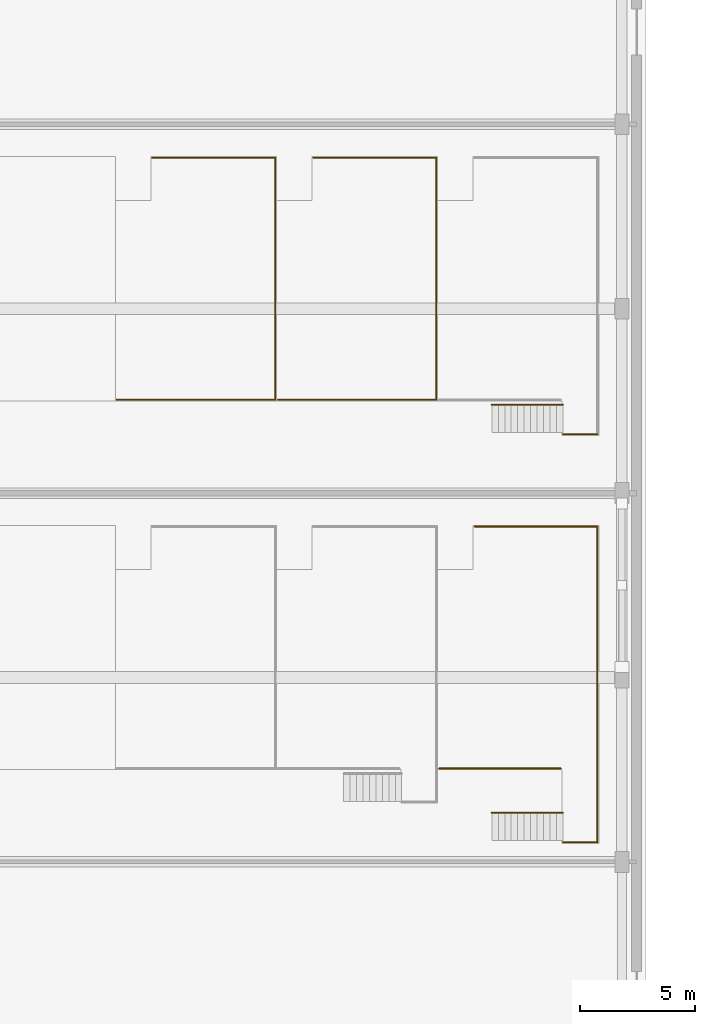
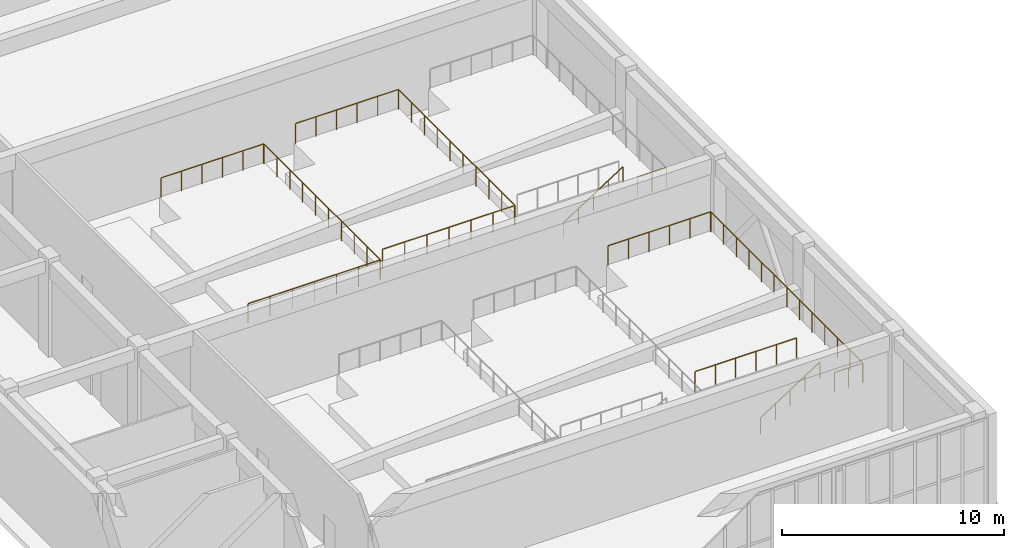
# One storey, part 39 of 46: 13 railings.
"""IFC4 building model written with IfcOpenShell, lengths in metres."""

from ifc_helpers import new_model, si_unit, direction, frame, origin, origin_2d, place, context, subcontext, project, spatial, circle, extrude, material, type_object, element, save


model = new_model("IFC4")

# Units and contexts
model_context = context("Model", 3, precision=1e-05, world=origin(), true_north=direction((0.0, 1.0)))
body_context = subcontext(model_context, "Body", "Model", "MODEL_VIEW")
ifc_project = project(units=[si_unit("LENGTHUNIT", "METRE"), si_unit("AREAUNIT", "SQUARE_METRE"), si_unit("VOLUMEUNIT", "CUBIC_METRE"), si_unit("PLANEANGLEUNIT", "RADIAN"), si_unit("MASSUNIT", "GRAM", prefix="KILO")], contexts=[model_context])

# Site, building, storey
site_placement = place(None, origin())
site = spatial("IfcSite", under=ifc_project, at=site_placement, CompositionType="ELEMENT")
building_placement = place(site_placement, origin())
building = spatial("IfcBuilding", under=site, at=building_placement, Name="Cinchona Park Media Centre", CompositionType="ELEMENT")
storey_placement = place(building_placement, origin())
storey = spatial("IfcBuildingStorey", under=building, at=storey_placement, Name="L00", CompositionType="ELEMENT", Elevation=0.0)

# Railings
ifc_material_1 = material(Name="Painted Steel Stairwell Guardrail", Category="steel")
railing_type_1 = type_object("IfcRailingType", Name="RAILING-GR02", PredefinedType="GUARDRAIL", material=ifc_material_1)
railing_1_placement = place(storey_placement, frame((44.300048828125, 16.47998046875, 2.159912109375)))
element("IfcRailing", 1, at=railing_1_placement, inside=storey, type_object=railing_type_1, Name="Auditorium Tier Guardrail GR02 130", PredefinedType="GUARDRAIL", context=body_context, shape_type="SweptSolid", body=[
    extrude(circle(Radius=0.02392578125, at=origin_2d()), frame((0.0, 0.0, 1.076171875), z_axis=(0.0, 1.0, 0.0), x_axis=(-1.0, 0.0, 0.0)), (0.0, 0.0, 1.0), 13.64013671875),
    extrude(circle(Radius=0.02099609375, at=origin_2d()), origin(), (0.0, 0.0, 1.0), 1.052001953125),
    extrude(circle(Radius=0.02099609375, at=origin_2d()), frame((0.0, 1.13671875, 0.0)), (0.0, 0.0, 1.0), 1.052001953125),
    extrude(circle(Radius=0.02099609375, at=origin_2d()), frame((0.0, 2.2734375, 0.0)), (0.0, 0.0, 1.0), 1.052001953125),
    extrude(circle(Radius=0.02099609375, at=origin_2d()), frame((0.0, 3.41015625, 0.0)), (0.0, 0.0, 1.0), 1.052001953125),
    extrude(circle(Radius=0.02099609375, at=origin_2d()), frame((0.0, 4.546630859375, 0.0)), (0.0, 0.0, 1.0), 1.052001953125),
    extrude(circle(Radius=0.02099609375, at=origin_2d()), frame((0.0, 5.683349609375, 0.0)), (0.0, 0.0, 1.0), 1.052001953125),
    extrude(circle(Radius=0.02099609375, at=origin_2d()), frame((0.0, 6.820068359375, 0.0)), (0.0, 0.0, 1.0), 1.052001953125),
    extrude(circle(Radius=0.02099609375, at=origin_2d()), frame((0.0, 7.956787109375, 0.0)), (0.0, 0.0, 1.0), 1.052001953125),
    extrude(circle(Radius=0.02099609375, at=origin_2d()), frame((0.0, 9.093505859375, 0.0)), (0.0, 0.0, 1.0), 1.052001953125),
    extrude(circle(Radius=0.02099609375, at=origin_2d()), frame((0.0, 10.22998046875, 0.0)), (0.0, 0.0, 1.0), 1.052001953125),
    extrude(circle(Radius=0.02099609375, at=origin_2d()), frame((0.0, 11.36669921875, 0.0)), (0.0, 0.0, 1.0), 1.052001953125),
    extrude(circle(Radius=0.02099609375, at=origin_2d()), frame((0.0, 12.50341796875, 0.0)), (0.0, 0.0, 1.0), 1.052001953125),
    extrude(circle(Radius=0.02099609375, at=origin_2d()), frame((0.0, 13.64013671875, 0.0)), (0.0, 0.0, 1.0), 1.052001953125),
])
railing_2_placement = place(storey_placement, frame((37.429931640625, 19.64990234375, 2.159912109375)))
element("IfcRailing", 2, at=railing_2_placement, inside=storey, type_object=railing_type_1, Name="Auditorium Tier Side Guardrail GR02 131", PredefinedType="GUARDRAIL", context=body_context, shape_type="SweptSolid", body=[
    extrude(circle(Radius=0.02392578125, at=origin_2d()), frame((0.0, 0.0, 1.076171875), z_axis=(1.0, 0.0, 0.0), x_axis=(0.0, 1.0, 0.0)), (0.0, 0.0, 1.0), 5.27001953125),
    extrude(circle(Radius=0.02099609375, at=origin_2d()), origin(), (0.0, 0.0, 1.0), 1.052001953125),
    extrude(circle(Radius=0.02099609375, at=origin_2d()), frame((1.053955078125, 0.0, 0.0)), (0.0, 0.0, 1.0), 1.052001953125),
    extrude(circle(Radius=0.02099609375, at=origin_2d()), frame((2.10791015625, 0.0, 0.0)), (0.0, 0.0, 1.0), 1.052001953125),
    extrude(circle(Radius=0.02099609375, at=origin_2d()), frame((3.162109375, 0.0, 0.0)), (0.0, 0.0, 1.0), 1.052001953125),
    extrude(circle(Radius=0.02099609375, at=origin_2d()), frame((4.216064453125, 0.0, 0.0)), (0.0, 0.0, 1.0), 1.052001953125),
    extrude(circle(Radius=0.02099609375, at=origin_2d()), frame((5.27001953125, 0.0, 0.0)), (0.0, 0.0, 1.0), 1.052001953125),
])
railing_3_placement = place(storey_placement, frame((42.820068359375, 16.449951171875, 2.159912109375)))
element("IfcRailing", 3, at=railing_3_placement, inside=storey, type_object=railing_type_1, Name="Auditorium Tier Side Guardrail GR02 132", PredefinedType="GUARDRAIL", context=body_context, shape_type="SweptSolid", body=[
    extrude(circle(Radius=0.02392578125, at=origin_2d()), frame((0.0, 0.0, 1.076171875), z_axis=(1.0, 0.0, 0.0), x_axis=(0.0, 1.0, 0.0)), (0.0, 0.0, 1.0), 1.47998046875),
    extrude(circle(Radius=0.02099609375, at=origin_2d()), origin(), (0.0, 0.0, 1.0), 1.052001953125),
    extrude(circle(Radius=0.02099609375, at=origin_2d()), frame((0.739990234375, 0.0, 0.0)), (0.0, 0.0, 1.0), 1.052001953125),
    extrude(circle(Radius=0.02099609375, at=origin_2d()), frame((1.47998046875, 0.0, 0.0)), (0.0, 0.0, 1.0), 1.052001953125),
])
railing_4_placement = place(storey_placement, frame((44.300048828125, 30.14990234375, 2.159912109375)))
element("IfcRailing", 4, at=railing_4_placement, inside=storey, type_object=railing_type_1, Name="Auditorium Tier Side Guardrail GR02 133", PredefinedType="GUARDRAIL", context=body_context, shape_type="SweptSolid", body=[
    extrude(circle(Radius=0.02392578125, at=origin_2d()), frame((0.0, 0.0, 1.076171875), z_axis=(-1.0, 0.0, 0.0), x_axis=(0.0, -1.0, 0.0)), (0.0, 0.0, 1.0), 5.33203125),
    extrude(circle(Radius=0.02099609375, at=origin_2d()), origin(), (0.0, 0.0, 1.0), 1.052001953125),
    extrude(circle(Radius=0.02099609375, at=origin_2d()), frame((-1.06640625, 0.0, 0.0)), (0.0, 0.0, 1.0), 1.052001953125),
    extrude(circle(Radius=0.02099609375, at=origin_2d()), frame((-2.1328125, 0.0, 0.0)), (0.0, 0.0, 1.0), 1.052001953125),
    extrude(circle(Radius=0.02099609375, at=origin_2d()), frame((-3.19921875, 0.0, 0.0)), (0.0, 0.0, 1.0), 1.052001953125),
    extrude(circle(Radius=0.02099609375, at=origin_2d()), frame((-4.265625, 0.0, 0.0)), (0.0, 0.0, 1.0), 1.052001953125),
    extrude(circle(Radius=0.02099609375, at=origin_2d()), frame((-5.33203125, 0.0, 0.0)), (0.0, 0.0, 1.0), 1.052001953125),
])
railing_5_placement = place(storey_placement, frame((30.320068359375, 35.679931640625, 1.080078125)))
element("IfcRailing", 5, at=railing_5_placement, inside=storey, type_object=railing_type_1, Name="Auditorium Tier Guardrail GR02 134", PredefinedType="GUARDRAIL", context=body_context, shape_type="SweptSolid", body=[
    extrude(circle(Radius=0.02392578125, at=origin_2d()), frame((0.0, 0.0, 1.076171875), z_axis=(0.0, 1.0, 0.0), x_axis=(-1.0, 0.0, 0.0)), (0.0, 0.0, 1.0), 10.440185546875),
    extrude(circle(Radius=0.02099609375, at=origin_2d()), origin(), (0.0, 0.0, 1.0), 1.052001953125),
    extrude(circle(Radius=0.02099609375, at=origin_2d()), frame((0.0, 1.159912109375, 0.0)), (0.0, 0.0, 1.0), 1.052001953125),
    extrude(circle(Radius=0.02099609375, at=origin_2d()), frame((0.0, 2.320068359375, 0.0)), (0.0, 0.0, 1.0), 1.052001953125),
    extrude(circle(Radius=0.02099609375, at=origin_2d()), frame((0.0, 3.47998046875, 0.0)), (0.0, 0.0, 1.0), 1.052001953125),
    extrude(circle(Radius=0.02099609375, at=origin_2d()), frame((0.0, 4.64013671875, 0.0)), (0.0, 0.0, 1.0), 1.052001953125),
    extrude(circle(Radius=0.02099609375, at=origin_2d()), frame((0.0, 5.800048828125, 0.0)), (0.0, 0.0, 1.0), 1.052001953125),
    extrude(circle(Radius=0.02099609375, at=origin_2d()), frame((0.0, 6.960205078125, 0.0)), (0.0, 0.0, 1.0), 1.052001953125),
    extrude(circle(Radius=0.02099609375, at=origin_2d()), frame((0.0, 8.1201171875, 0.0)), (0.0, 0.0, 1.0), 1.052001953125),
    extrude(circle(Radius=0.02099609375, at=origin_2d()), frame((0.0, 9.2802734375, 0.0)), (0.0, 0.0, 1.0), 1.052001953125),
    extrude(circle(Radius=0.02099609375, at=origin_2d()), frame((0.0, 10.440185546875, 0.0)), (0.0, 0.0, 1.0), 1.052001953125),
])
railing_6_placement = place(storey_placement, frame((23.449951171875, 35.64990234375, 1.080078125)))
element("IfcRailing", 6, at=railing_6_placement, inside=storey, type_object=railing_type_1, Name="Auditorium Tier Side Guardrail GR02 135", PredefinedType="GUARDRAIL", context=body_context, shape_type="SweptSolid", body=[
    extrude(circle(Radius=0.02392578125, at=origin_2d()), frame((0.0, 0.0, 1.076171875), z_axis=(1.0, 0.0, 0.0), x_axis=(0.0, 1.0, 0.0)), (0.0, 0.0, 1.0), 6.8701171875),
    extrude(circle(Radius=0.02099609375, at=origin_2d()), origin(), (0.0, 0.0, 1.0), 1.052001953125),
    extrude(circle(Radius=0.02099609375, at=origin_2d()), frame((1.14501953125, 0.0, 0.0)), (0.0, 0.0, 1.0), 1.052001953125),
    extrude(circle(Radius=0.02099609375, at=origin_2d()), frame((2.2900390625, 0.0, 0.0)), (0.0, 0.0, 1.0), 1.052001953125),
    extrude(circle(Radius=0.02099609375, at=origin_2d()), frame((3.43505859375, 0.0, 0.0)), (0.0, 0.0, 1.0), 1.052001953125),
    extrude(circle(Radius=0.02099609375, at=origin_2d()), frame((4.580078125, 0.0, 0.0)), (0.0, 0.0, 1.0), 1.052001953125),
    extrude(circle(Radius=0.02099609375, at=origin_2d()), frame((5.72509765625, 0.0, 0.0)), (0.0, 0.0, 1.0), 1.052001953125),
    extrude(circle(Radius=0.02099609375, at=origin_2d()), frame((6.8701171875, 0.0, 0.0)), (0.0, 0.0, 1.0), 1.052001953125),
])
railing_7_placement = place(storey_placement, frame((30.320068359375, 46.14990234375, 1.080078125)))
element("IfcRailing", 7, at=railing_7_placement, inside=storey, type_object=railing_type_1, Name="Auditorium Tier Side Guardrail GR02 136", PredefinedType="GUARDRAIL", context=body_context, shape_type="SweptSolid", body=[
    extrude(circle(Radius=0.02392578125, at=origin_2d()), frame((0.0, 0.0, 1.076171875), z_axis=(-1.0, 0.0, 0.0), x_axis=(0.0, -1.0, 0.0)), (0.0, 0.0, 1.0), 5.33203125),
    extrude(circle(Radius=0.02099609375, at=origin_2d()), origin(), (0.0, 0.0, 1.0), 1.052001953125),
    extrude(circle(Radius=0.02099609375, at=origin_2d()), frame((-1.06640625, 0.0, 0.0)), (0.0, 0.0, 1.0), 1.052001953125),
    extrude(circle(Radius=0.02099609375, at=origin_2d()), frame((-2.1328125, 0.0, 0.0)), (0.0, 0.0, 1.0), 1.052001953125),
    extrude(circle(Radius=0.02099609375, at=origin_2d()), frame((-3.19921875, 0.0, 0.0)), (0.0, 0.0, 1.0), 1.052001953125),
    extrude(circle(Radius=0.02099609375, at=origin_2d()), frame((-4.265625, 0.0, 0.0)), (0.0, 0.0, 1.0), 1.052001953125),
    extrude(circle(Radius=0.02099609375, at=origin_2d()), frame((-5.33203125, 0.0, 0.0)), (0.0, 0.0, 1.0), 1.052001953125),
])
railing_8_placement = place(storey_placement, frame((37.31005859375, 35.679931640625, 1.6201171875)))
element("IfcRailing", 8, at=railing_8_placement, inside=storey, type_object=railing_type_1, Name="Auditorium Tier Guardrail GR02 137", PredefinedType="GUARDRAIL", context=body_context, shape_type="SweptSolid", body=[
    extrude(circle(Radius=0.02392578125, at=origin_2d()), frame((0.0, 0.0, 1.076171875), z_axis=(0.0, 1.0, 0.0), x_axis=(-1.0, 0.0, 0.0)), (0.0, 0.0, 1.0), 10.440185546875),
    extrude(circle(Radius=0.02099609375, at=origin_2d()), origin(), (0.0, 0.0, 1.0), 1.052001953125),
    extrude(circle(Radius=0.02099609375, at=origin_2d()), frame((0.0, 1.159912109375, 0.0)), (0.0, 0.0, 1.0), 1.052001953125),
    extrude(circle(Radius=0.02099609375, at=origin_2d()), frame((0.0, 2.320068359375, 0.0)), (0.0, 0.0, 1.0), 1.052001953125),
    extrude(circle(Radius=0.02099609375, at=origin_2d()), frame((0.0, 3.47998046875, 0.0)), (0.0, 0.0, 1.0), 1.052001953125),
    extrude(circle(Radius=0.02099609375, at=origin_2d()), frame((0.0, 4.64013671875, 0.0)), (0.0, 0.0, 1.0), 1.052001953125),
    extrude(circle(Radius=0.02099609375, at=origin_2d()), frame((0.0, 5.800048828125, 0.0)), (0.0, 0.0, 1.0), 1.052001953125),
    extrude(circle(Radius=0.02099609375, at=origin_2d()), frame((0.0, 6.960205078125, 0.0)), (0.0, 0.0, 1.0), 1.052001953125),
    extrude(circle(Radius=0.02099609375, at=origin_2d()), frame((0.0, 8.1201171875, 0.0)), (0.0, 0.0, 1.0), 1.052001953125),
    extrude(circle(Radius=0.02099609375, at=origin_2d()), frame((0.0, 9.2802734375, 0.0)), (0.0, 0.0, 1.0), 1.052001953125),
    extrude(circle(Radius=0.02099609375, at=origin_2d()), frame((0.0, 10.440185546875, 0.0)), (0.0, 0.0, 1.0), 1.052001953125),
])
railing_9_placement = place(storey_placement, frame((30.43994140625, 35.64990234375, 1.6201171875)))
element("IfcRailing", 9, at=railing_9_placement, inside=storey, type_object=railing_type_1, Name="Auditorium Tier Side Guardrail GR02 138", PredefinedType="GUARDRAIL", context=body_context, shape_type="SweptSolid", body=[
    extrude(circle(Radius=0.02392578125, at=origin_2d()), frame((0.0, 0.0, 1.076171875), z_axis=(1.0, 0.0, 0.0), x_axis=(0.0, 1.0, 0.0)), (0.0, 0.0, 1.0), 6.8701171875),
    extrude(circle(Radius=0.02099609375, at=origin_2d()), origin(), (0.0, 0.0, 1.0), 1.052001953125),
    extrude(circle(Radius=0.02099609375, at=origin_2d()), frame((1.14501953125, 0.0, 0.0)), (0.0, 0.0, 1.0), 1.052001953125),
    extrude(circle(Radius=0.02099609375, at=origin_2d()), frame((2.2900390625, 0.0, 0.0)), (0.0, 0.0, 1.0), 1.052001953125),
    extrude(circle(Radius=0.02099609375, at=origin_2d()), frame((3.43505859375, 0.0, 0.0)), (0.0, 0.0, 1.0), 1.052001953125),
    extrude(circle(Radius=0.02099609375, at=origin_2d()), frame((4.580078125, 0.0, 0.0)), (0.0, 0.0, 1.0), 1.052001953125),
    extrude(circle(Radius=0.02099609375, at=origin_2d()), frame((5.72509765625, 0.0, 0.0)), (0.0, 0.0, 1.0), 1.052001953125),
    extrude(circle(Radius=0.02099609375, at=origin_2d()), frame((6.8701171875, 0.0, 0.0)), (0.0, 0.0, 1.0), 1.052001953125),
])
railing_10_placement = place(storey_placement, frame((37.31005859375, 46.14990234375, 1.6201171875)))
element("IfcRailing", 10, at=railing_10_placement, inside=storey, type_object=railing_type_1, Name="Auditorium Tier Side Guardrail GR02 139", PredefinedType="GUARDRAIL", context=body_context, shape_type="SweptSolid", body=[
    extrude(circle(Radius=0.02392578125, at=origin_2d()), frame((0.0, 0.0, 1.076171875), z_axis=(-1.0, 0.0, 0.0), x_axis=(0.0, -1.0, 0.0)), (0.0, 0.0, 1.0), 5.33203125),
    extrude(circle(Radius=0.02099609375, at=origin_2d()), origin(), (0.0, 0.0, 1.0), 1.052001953125),
    extrude(circle(Radius=0.02099609375, at=origin_2d()), frame((-1.06640625, 0.0, 0.0)), (0.0, 0.0, 1.0), 1.052001953125),
    extrude(circle(Radius=0.02099609375, at=origin_2d()), frame((-2.1328125, 0.0, 0.0)), (0.0, 0.0, 1.0), 1.052001953125),
    extrude(circle(Radius=0.02099609375, at=origin_2d()), frame((-3.19921875, 0.0, 0.0)), (0.0, 0.0, 1.0), 1.052001953125),
    extrude(circle(Radius=0.02099609375, at=origin_2d()), frame((-4.265625, 0.0, 0.0)), (0.0, 0.0, 1.0), 1.052001953125),
    extrude(circle(Radius=0.02099609375, at=origin_2d()), frame((-5.33203125, 0.0, 0.0)), (0.0, 0.0, 1.0), 1.052001953125),
])
railing_11_placement = place(storey_placement, frame((42.820068359375, 34.14990234375, 2.159912109375)))
element("IfcRailing", 11, at=railing_11_placement, inside=storey, type_object=railing_type_1, Name="Auditorium Tier Side Guardrail GR02 142", PredefinedType="GUARDRAIL", context=body_context, shape_type="SweptSolid", body=[
    extrude(circle(Radius=0.02392578125, at=origin_2d()), frame((0.0, 0.0, 1.076171875), z_axis=(1.0, 0.0, 0.0), x_axis=(0.0, 1.0, 0.0)), (0.0, 0.0, 1.0), 1.47998046875),
    extrude(circle(Radius=0.02099609375, at=origin_2d()), origin(), (0.0, 0.0, 1.0), 1.052001953125),
    extrude(circle(Radius=0.02099609375, at=origin_2d()), frame((0.739990234375, 0.0, 0.0)), (0.0, 0.0, 1.0), 1.052001953125),
    extrude(circle(Radius=0.02099609375, at=origin_2d()), frame((1.47998046875, 0.0, 0.0)), (0.0, 0.0, 1.0), 1.052001953125),
])
ifc_material_2 = material(Name="Brushed Stainless Steel Handrail", Category="steel")
railing_type_2 = type_object("IfcRailingType", Name="RAILING-HR01", PredefinedType="HANDRAIL", material=ifc_material_2)
for number, where, name in (
    (12, (39.719970703125, 17.735107421875, 0.179931640625), "Handrail HR01 SVM1"),
    (13, (39.719970703125, 35.43505859375, 0.179931640625), "Handrail HR01 SVM2"),
):
    element("IfcRailing", number, at=place(storey_placement, frame(where)), inside=storey, type_object=railing_type_2, Name=name, PredefinedType="HANDRAIL", context=body_context, shape_type="SweptSolid", body=[
        extrude(circle(Radius=0.02392578125, at=origin_2d()), frame((0.0, 0.0, 0.8759765625), z_axis=(0.84118714077, 0.0, 0.540744111576), x_axis=(0.0, 1.0, 0.0)), (0.0, 0.0, 1.0), 3.66162109375),
        extrude(circle(Radius=0.02099609375, at=origin_2d()), origin(), (0.0, 0.0, 1.0), 0.851806640625),
        extrude(circle(Radius=0.02099609375, at=origin_2d()), frame((0.77001953125, 0.0, 0.4951171875)), (0.0, 0.0, 1.0), 0.851806640625),
        extrude(circle(Radius=0.02099609375, at=origin_2d()), frame((1.5400390625, 0.0, 0.989990234375)), (0.0, 0.0, 1.0), 0.851806640625),
        extrude(circle(Radius=0.02099609375, at=origin_2d()), frame((2.31005859375, 0.0, 1.48486328125)), (0.0, 0.0, 1.0), 0.851806640625),
        extrude(circle(Radius=0.02099609375, at=origin_2d()), frame((3.080078125, 0.0, 1.97998046875)), (0.0, 0.0, 1.0), 0.851806640625),
    ])

save(model, "model.ifc")
